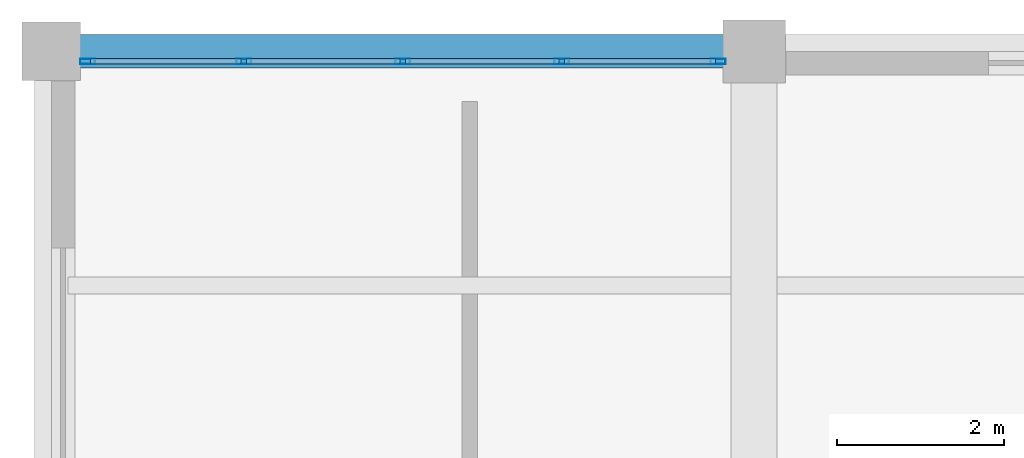
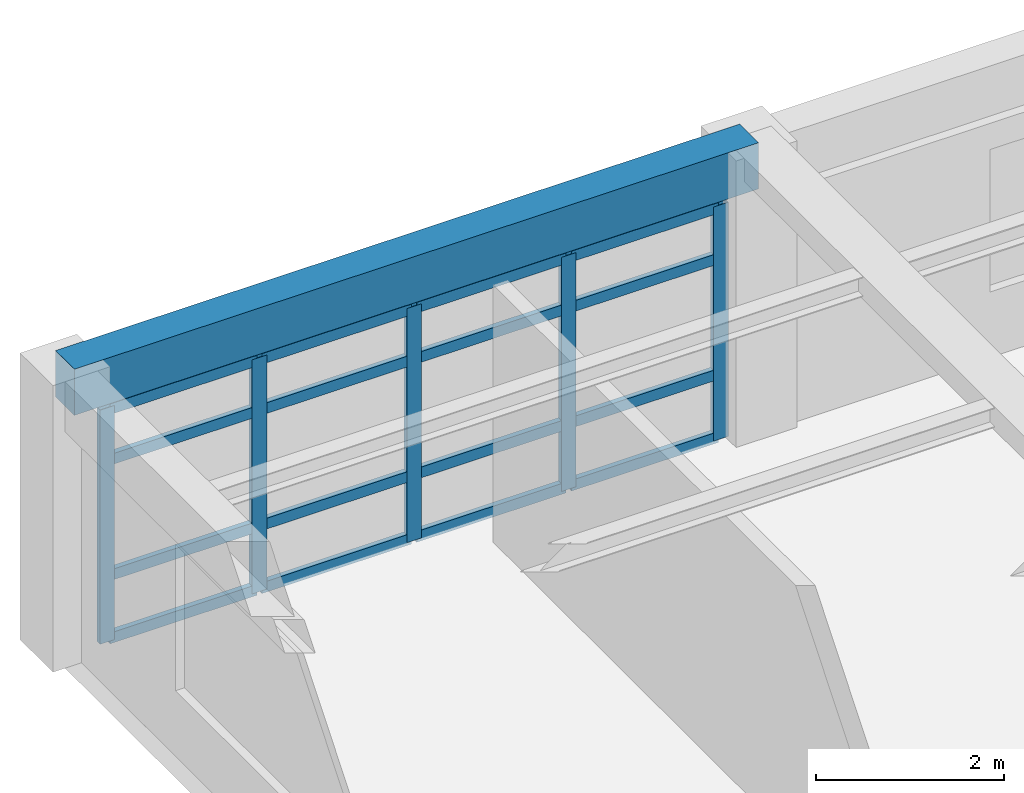
# One storey, part 20 of 31: 21 members, 1 beam, 1 element without a shape of its own.
"""IFC4 building model written with IfcOpenShell, lengths in metres."""

from ifc_helpers import new_model, si_unit, direction, frame, origin, origin_2d, place, context, subcontext, project, spatial, rectangle, hollow_rectangle, extrude, material, material_profile, profile_set, type_object, element, aggregate, save


model = new_model("IFC4")

# Units and contexts
model_context = context("Model", 3, precision=1e-05, world=origin(), true_north=direction((0.0, 1.0)))
body_context = subcontext(model_context, "Body", "Model", "MODEL_VIEW")
ifc_project = project(units=[si_unit("LENGTHUNIT", "METRE"), si_unit("AREAUNIT", "SQUARE_METRE"), si_unit("VOLUMEUNIT", "CUBIC_METRE"), si_unit("PLANEANGLEUNIT", "RADIAN"), si_unit("MASSUNIT", "GRAM", prefix="KILO")], contexts=[model_context])

# Site, building, storey
site_placement = place(None, origin())
site = spatial("IfcSite", under=ifc_project, at=site_placement, CompositionType="ELEMENT")
building_placement = place(site_placement, origin())
building = spatial("IfcBuilding", under=site, at=building_placement, Name="Almacenes y Pasaje Nevantli", CompositionType="ELEMENT")
storey_placement = place(building_placement, frame((0.0, 0.0, 34.699951171875)))
storey = spatial("IfcBuildingStorey", under=building, at=storey_placement, Name="L08", CompositionType="ELEMENT", Elevation=34.699951171875)

# Beam
ifc_material_1 = material(Name="Concrete C35/45", Category="concrete")
ifc_material_profile_1 = material_profile(ifc_material_1, rectangle(XDim=0.39990234375, YDim=0.60009765625, at=origin_2d()), Name="RC-BM-400x600")
ifc_profile_set_1 = profile_set([ifc_material_profile_1], Name="Concrete C35/45")
beam_type = type_object("IfcBeamType", Name="BM-RC-400x600", PredefinedType="SPANDREL", material=ifc_profile_set_1)
beam_placement = place(storey_placement, frame((109.199951171875, 100.800048828125, 3.420166015625), z_axis=(1.0, 0.0, 0.0), x_axis=(0.0, 1.0, 0.0)))
element("IfcBeam", 1, at=beam_placement, inside=storey, type_object=beam_type, Name="L08 East-West Reinforced Concrete Beam #3709", PredefinedType="SPANDREL", context=body_context, shape_type="SweptSolid", body=[
    extrude(rectangle(XDim=0.39990234375, YDim=0.60009765625, at=origin_2d()), origin(), (0.0, 0.0, 1.0), 8.400146484375),
])

# Curtain wall, members
ifc_material_2 = material(Name="Thermally Broken Aluminium and Low-E Glass", Category="aluminium")
curtain_wall_type = type_object("IfcCurtainWallType", Name="CW-UNIT-TOWER", PredefinedType="USERDEFINED", material=ifc_material_2)
curtain_wall_placement = place(storey_placement, origin())
curtain_wall = element("IfcCurtainWall", 2, at=curtain_wall_placement, inside=storey, type_object=curtain_wall_type, Name="L08 Tower North Boulevard Unitized Curtain Wall Bay 14", ObjectType="UNITIZED CURTAIN WALL", PredefinedType="USERDEFINED")
ifc_material_3 = material(Name="Thermally Broken Anodized Aluminium", Category="aluminium")
ifc_material_profile_2 = material_profile(ifc_material_3, hollow_rectangle(XDim=0.06494140625, YDim=0.179931640625, WallThickness=0.00390625, at=origin_2d()), Name="ALU-MUL-65x180")
ifc_profile_set_2 = profile_set([ifc_material_profile_2], Name="Thermally Broken Anodized Aluminium")
member_type_1 = type_object("IfcMemberType", Name="CW-MUL-200", PredefinedType="MULLION", material=ifc_profile_set_2)
member_1_placement = place(storey_placement, frame((109.632568359375, 100.679931640625, 0.0), z_axis=(0.0, 0.0, 1.0), x_axis=(0.0, 1.0, 0.0)))
member_1 = element("IfcMember", 3, at=member_1_placement, type_object=member_type_1, Name="CW-L08-121 mullion 1", PredefinedType="MULLION", context=body_context, shape_type="SweptSolid", body=[
    extrude(hollow_rectangle(XDim=0.06494140625, YDim=0.179931640625, WallThickness=0.00390625, at=origin_2d()), origin(), (0.0, 0.0, 1.0), 3.0400390625),
])
member_2_placement = place(storey_placement, frame((111.5, 100.679931640625, 0.0), z_axis=(0.0, 0.0, 1.0), x_axis=(0.0, 1.0, 0.0)))
member_2 = element("IfcMember", 4, at=member_2_placement, type_object=member_type_1, Name="CW-L08-121 mullion 2", PredefinedType="MULLION", context=body_context, shape_type="SweptSolid", body=[
    extrude(hollow_rectangle(XDim=0.06494140625, YDim=0.179931640625, WallThickness=0.00390625, at=origin_2d()), origin(), (0.0, 0.0, 1.0), 3.0400390625),
])
member_3_placement = place(storey_placement, frame((113.39990234375, 100.679931640625, 0.0), z_axis=(0.0, 0.0, 1.0), x_axis=(0.0, 1.0, 0.0)))
member_3 = element("IfcMember", 5, at=member_3_placement, type_object=member_type_1, Name="CW-L08-121 mullion 3", PredefinedType="MULLION", context=body_context, shape_type="SweptSolid", body=[
    extrude(hollow_rectangle(XDim=0.06494140625, YDim=0.179931640625, WallThickness=0.00390625, at=origin_2d()), origin(), (0.0, 0.0, 1.0), 3.0400390625),
])
member_4_placement = place(storey_placement, frame((115.300048828125, 100.679931640625, 0.0), z_axis=(0.0, 0.0, 1.0), x_axis=(0.0, 1.0, 0.0)))
member_4 = element("IfcMember", 6, at=member_4_placement, type_object=member_type_1, Name="CW-L08-121 mullion 4", PredefinedType="MULLION", context=body_context, shape_type="SweptSolid", body=[
    extrude(hollow_rectangle(XDim=0.06494140625, YDim=0.179931640625, WallThickness=0.00390625, at=origin_2d()), origin(), (0.0, 0.0, 1.0), 3.0400390625),
])
member_5_placement = place(storey_placement, frame((117.16748046875, 100.679931640625, 0.0), z_axis=(0.0, 0.0, 1.0), x_axis=(0.0, 1.0, 0.0)))
member_5 = element("IfcMember", 7, at=member_5_placement, type_object=member_type_1, Name="CW-L08-121 mullion 5", PredefinedType="MULLION", context=body_context, shape_type="SweptSolid", body=[
    extrude(hollow_rectangle(XDim=0.06494140625, YDim=0.179931640625, WallThickness=0.00390625, at=origin_2d()), origin(), (0.0, 0.0, 1.0), 3.0400390625),
])
ifc_material_4 = material(Name="Thermally Broken Anodized Aluminium", Category="aluminium")
ifc_material_profile_3 = material_profile(ifc_material_4, hollow_rectangle(XDim=0.06494140625, YDim=0.139892578125, WallThickness=0.00390625, at=origin_2d()), Name="ALU-TRN-65x140")
ifc_profile_set_3 = profile_set([ifc_material_profile_3], Name="Thermally Broken Anodized Aluminium")
member_type_2 = type_object("IfcMemberType", Name="CW-TRN-150", PredefinedType="USERDEFINED", material=ifc_profile_set_3)
member_6_placement = place(storey_placement, frame((109.6650390625, 100.679931640625, 0.032470703125), z_axis=(1.0, 0.0, 0.0), x_axis=(0.0, 1.0, 0.0)))
member_6 = element("IfcMember", 8, at=member_6_placement, type_object=member_type_2, Name="CW-L08-121 transom 1.1", ObjectType="TRANSOM", PredefinedType="USERDEFINED", context=body_context, shape_type="SweptSolid", body=[
    extrude(hollow_rectangle(XDim=0.06494140625, YDim=0.139892578125, WallThickness=0.00390625, at=origin_2d()), origin(), (0.0, 0.0, 1.0), 1.802490234375),
])
member_7_placement = place(storey_placement, frame((109.6650390625, 100.679931640625, 0.85009765625), z_axis=(1.0, 0.0, 0.0), x_axis=(0.0, 1.0, 0.0)))
member_7 = element("IfcMember", 9, at=member_7_placement, type_object=member_type_2, Name="CW-L08-121 transom 1.2", ObjectType="TRANSOM", PredefinedType="USERDEFINED", context=body_context, shape_type="SweptSolid", body=[
    extrude(hollow_rectangle(XDim=0.06494140625, YDim=0.139892578125, WallThickness=0.00390625, at=origin_2d()), origin(), (0.0, 0.0, 1.0), 1.802490234375),
])
member_8_placement = place(storey_placement, frame((109.6650390625, 100.679931640625, 2.35009765625), z_axis=(1.0, 0.0, 0.0), x_axis=(0.0, 1.0, 0.0)))
member_8 = element("IfcMember", 10, at=member_8_placement, type_object=member_type_2, Name="CW-L08-121 transom 1.3", ObjectType="TRANSOM", PredefinedType="USERDEFINED", context=body_context, shape_type="SweptSolid", body=[
    extrude(hollow_rectangle(XDim=0.06494140625, YDim=0.139892578125, WallThickness=0.00390625, at=origin_2d()), origin(), (0.0, 0.0, 1.0), 1.802490234375),
])
member_9_placement = place(storey_placement, frame((109.6650390625, 100.679931640625, 3.007568359375), z_axis=(1.0, 0.0, 0.0), x_axis=(0.0, 1.0, 0.0)))
member_9 = element("IfcMember", 11, at=member_9_placement, type_object=member_type_2, Name="CW-L08-121 transom 1.4", ObjectType="TRANSOM", PredefinedType="USERDEFINED", context=body_context, shape_type="SweptSolid", body=[
    extrude(hollow_rectangle(XDim=0.06494140625, YDim=0.139892578125, WallThickness=0.00390625, at=origin_2d()), origin(), (0.0, 0.0, 1.0), 1.802490234375),
])
member_10_placement = place(storey_placement, frame((111.532470703125, 100.679931640625, 0.032470703125), z_axis=(1.0, 0.0, 0.0), x_axis=(0.0, 1.0, 0.0)))
member_10 = element("IfcMember", 12, at=member_10_placement, type_object=member_type_2, Name="CW-L08-121 transom 2.1", ObjectType="TRANSOM", PredefinedType="USERDEFINED", context=body_context, shape_type="SweptSolid", body=[
    extrude(hollow_rectangle(XDim=0.06494140625, YDim=0.139892578125, WallThickness=0.00390625, at=origin_2d()), origin(), (0.0, 0.0, 1.0), 1.8349609375),
])
member_11_placement = place(storey_placement, frame((111.532470703125, 100.679931640625, 0.85009765625), z_axis=(1.0, 0.0, 0.0), x_axis=(0.0, 1.0, 0.0)))
member_11 = element("IfcMember", 13, at=member_11_placement, type_object=member_type_2, Name="CW-L08-121 transom 2.2", ObjectType="TRANSOM", PredefinedType="USERDEFINED", context=body_context, shape_type="SweptSolid", body=[
    extrude(hollow_rectangle(XDim=0.06494140625, YDim=0.139892578125, WallThickness=0.00390625, at=origin_2d()), origin(), (0.0, 0.0, 1.0), 1.8349609375),
])
member_12_placement = place(storey_placement, frame((111.532470703125, 100.679931640625, 2.35009765625), z_axis=(1.0, 0.0, 0.0), x_axis=(0.0, 1.0, 0.0)))
member_12 = element("IfcMember", 14, at=member_12_placement, type_object=member_type_2, Name="CW-L08-121 transom 2.3", ObjectType="TRANSOM", PredefinedType="USERDEFINED", context=body_context, shape_type="SweptSolid", body=[
    extrude(hollow_rectangle(XDim=0.06494140625, YDim=0.139892578125, WallThickness=0.00390625, at=origin_2d()), origin(), (0.0, 0.0, 1.0), 1.8349609375),
])
member_13_placement = place(storey_placement, frame((111.532470703125, 100.679931640625, 3.007568359375), z_axis=(1.0, 0.0, 0.0), x_axis=(0.0, 1.0, 0.0)))
member_13 = element("IfcMember", 15, at=member_13_placement, type_object=member_type_2, Name="CW-L08-121 transom 2.4", ObjectType="TRANSOM", PredefinedType="USERDEFINED", context=body_context, shape_type="SweptSolid", body=[
    extrude(hollow_rectangle(XDim=0.06494140625, YDim=0.139892578125, WallThickness=0.00390625, at=origin_2d()), origin(), (0.0, 0.0, 1.0), 1.8349609375),
])
member_14_placement = place(storey_placement, frame((113.4326171875, 100.679931640625, 0.032470703125), z_axis=(1.0, 0.0, 0.0), x_axis=(0.0, 1.0, 0.0)))
member_14 = element("IfcMember", 16, at=member_14_placement, type_object=member_type_2, Name="CW-L08-121 transom 3.1", ObjectType="TRANSOM", PredefinedType="USERDEFINED", context=body_context, shape_type="SweptSolid", body=[
    extrude(hollow_rectangle(XDim=0.06494140625, YDim=0.139892578125, WallThickness=0.00390625, at=origin_2d()), origin(), (0.0, 0.0, 1.0), 1.8349609375),
])
member_15_placement = place(storey_placement, frame((113.4326171875, 100.679931640625, 0.85009765625), z_axis=(1.0, 0.0, 0.0), x_axis=(0.0, 1.0, 0.0)))
member_15 = element("IfcMember", 17, at=member_15_placement, type_object=member_type_2, Name="CW-L08-121 transom 3.2", ObjectType="TRANSOM", PredefinedType="USERDEFINED", context=body_context, shape_type="SweptSolid", body=[
    extrude(hollow_rectangle(XDim=0.06494140625, YDim=0.139892578125, WallThickness=0.00390625, at=origin_2d()), origin(), (0.0, 0.0, 1.0), 1.8349609375),
])
member_16_placement = place(storey_placement, frame((113.4326171875, 100.679931640625, 2.35009765625), z_axis=(1.0, 0.0, 0.0), x_axis=(0.0, 1.0, 0.0)))
member_16 = element("IfcMember", 18, at=member_16_placement, type_object=member_type_2, Name="CW-L08-121 transom 3.3", ObjectType="TRANSOM", PredefinedType="USERDEFINED", context=body_context, shape_type="SweptSolid", body=[
    extrude(hollow_rectangle(XDim=0.06494140625, YDim=0.139892578125, WallThickness=0.00390625, at=origin_2d()), origin(), (0.0, 0.0, 1.0), 1.8349609375),
])
member_17_placement = place(storey_placement, frame((113.4326171875, 100.679931640625, 3.007568359375), z_axis=(1.0, 0.0, 0.0), x_axis=(0.0, 1.0, 0.0)))
member_17 = element("IfcMember", 19, at=member_17_placement, type_object=member_type_2, Name="CW-L08-121 transom 3.4", ObjectType="TRANSOM", PredefinedType="USERDEFINED", context=body_context, shape_type="SweptSolid", body=[
    extrude(hollow_rectangle(XDim=0.06494140625, YDim=0.139892578125, WallThickness=0.00390625, at=origin_2d()), origin(), (0.0, 0.0, 1.0), 1.8349609375),
])
member_18_placement = place(storey_placement, frame((115.33251953125, 100.679931640625, 0.032470703125), z_axis=(1.0, 0.0, 0.0), x_axis=(0.0, 1.0, 0.0)))
member_18 = element("IfcMember", 20, at=member_18_placement, type_object=member_type_2, Name="CW-L08-121 transom 4.1", ObjectType="TRANSOM", PredefinedType="USERDEFINED", context=body_context, shape_type="SweptSolid", body=[
    extrude(hollow_rectangle(XDim=0.06494140625, YDim=0.139892578125, WallThickness=0.00390625, at=origin_2d()), origin(), (0.0, 0.0, 1.0), 1.802490234375),
])
member_19_placement = place(storey_placement, frame((115.33251953125, 100.679931640625, 0.85009765625), z_axis=(1.0, 0.0, 0.0), x_axis=(0.0, 1.0, 0.0)))
member_19 = element("IfcMember", 21, at=member_19_placement, type_object=member_type_2, Name="CW-L08-121 transom 4.2", ObjectType="TRANSOM", PredefinedType="USERDEFINED", context=body_context, shape_type="SweptSolid", body=[
    extrude(hollow_rectangle(XDim=0.06494140625, YDim=0.139892578125, WallThickness=0.00390625, at=origin_2d()), origin(), (0.0, 0.0, 1.0), 1.802490234375),
])
member_20_placement = place(storey_placement, frame((115.33251953125, 100.679931640625, 2.35009765625), z_axis=(1.0, 0.0, 0.0), x_axis=(0.0, 1.0, 0.0)))
member_20 = element("IfcMember", 22, at=member_20_placement, type_object=member_type_2, Name="CW-L08-121 transom 4.3", ObjectType="TRANSOM", PredefinedType="USERDEFINED", context=body_context, shape_type="SweptSolid", body=[
    extrude(hollow_rectangle(XDim=0.06494140625, YDim=0.139892578125, WallThickness=0.00390625, at=origin_2d()), origin(), (0.0, 0.0, 1.0), 1.802490234375),
])
member_21_placement = place(storey_placement, frame((115.33251953125, 100.679931640625, 3.007568359375), z_axis=(1.0, 0.0, 0.0), x_axis=(0.0, 1.0, 0.0)))
member_21 = element("IfcMember", 23, at=member_21_placement, type_object=member_type_2, Name="CW-L08-121 transom 4.4", ObjectType="TRANSOM", PredefinedType="USERDEFINED", context=body_context, shape_type="SweptSolid", body=[
    extrude(hollow_rectangle(XDim=0.06494140625, YDim=0.139892578125, WallThickness=0.00390625, at=origin_2d()), origin(), (0.0, 0.0, 1.0), 1.802490234375),
])
aggregate(curtain_wall, [member_1, member_2, member_3, member_4, member_5, member_6, member_7, member_8, member_9, member_10, member_11, member_12, member_13, member_14, member_15, member_16, member_17, member_18, member_19, member_20, member_21])

save(model, "model.ifc")
